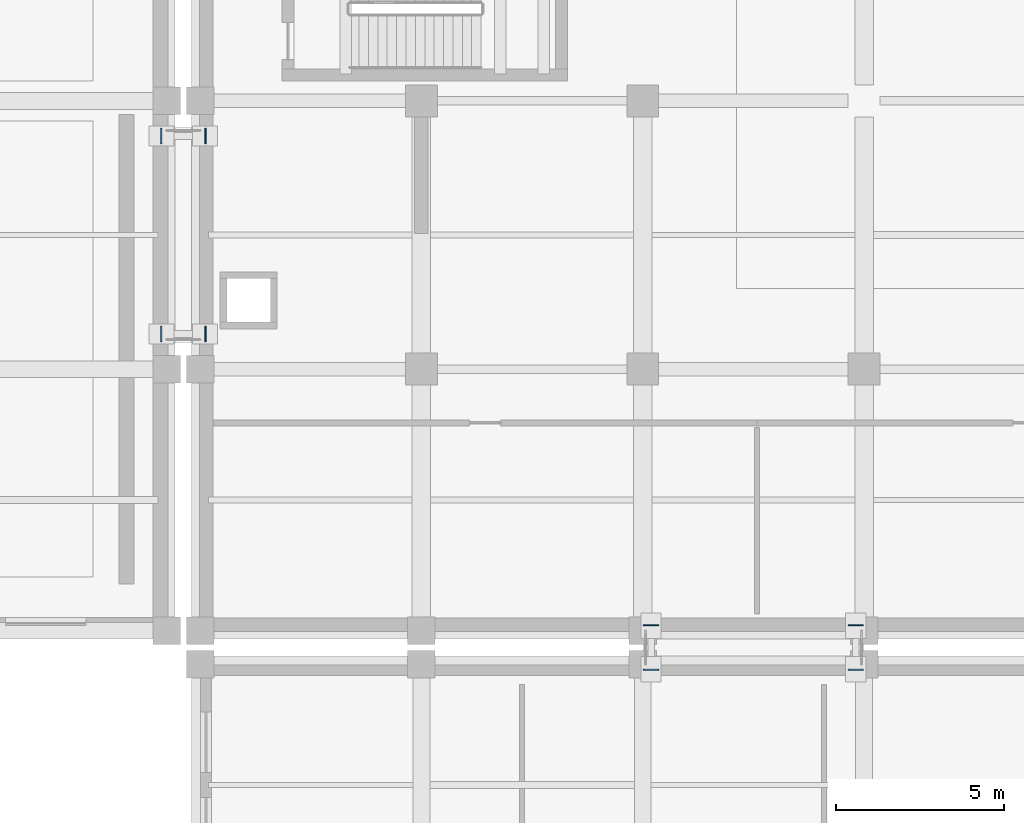
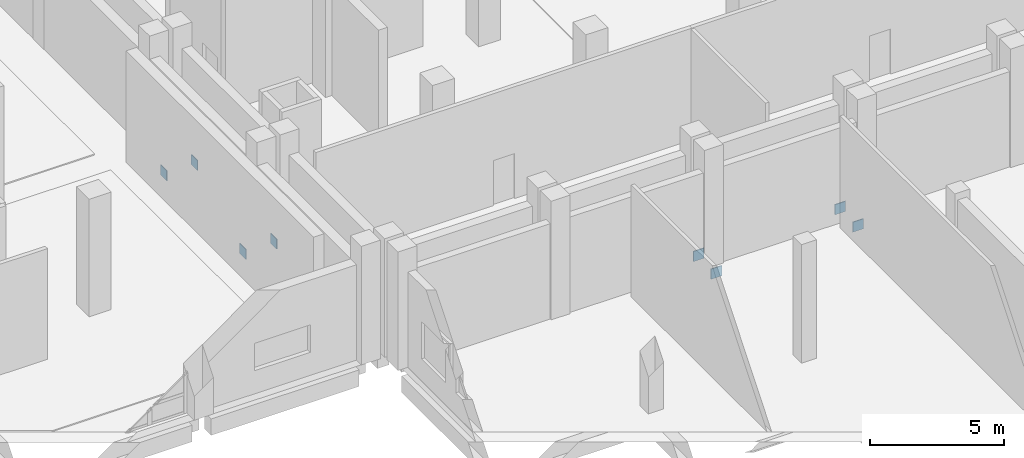
# One storey, part 65 of 79: 8 discrete accessories.
"""IFC4 building model written with IfcOpenShell, lengths in metres."""

from ifc_helpers import new_model, si_unit, direction, frame, origin, origin_2d, place, context, subcontext, project, spatial, rectangle, extrude, material, material_profile, profile_set, type_object, element, save


model = new_model("IFC4")

# Units and contexts
model_context = context("Model", 3, precision=1e-05, world=origin(), true_north=direction((0.0, 1.0)))
body_context = subcontext(model_context, "Body", "Model", "MODEL_VIEW")
ifc_project = project(units=[si_unit("LENGTHUNIT", "METRE"), si_unit("AREAUNIT", "SQUARE_METRE"), si_unit("VOLUMEUNIT", "CUBIC_METRE"), si_unit("PLANEANGLEUNIT", "RADIAN"), si_unit("MASSUNIT", "GRAM", prefix="KILO")], contexts=[model_context])

# Site, building, storey
site_placement = place(None, origin())
site = spatial("IfcSite", under=ifc_project, at=site_placement, CompositionType="ELEMENT")
building_placement = place(site_placement, origin())
building = spatial("IfcBuilding", under=site, at=building_placement, Name="Kelarvand Opera House", CompositionType="ELEMENT")
storey_placement = place(building_placement, origin())
storey = spatial("IfcBuildingStorey", under=building, at=storey_placement, Name="L00", CompositionType="ELEMENT", Elevation=0.0)

# Discrete accessories
ifc_material = material(Name="Steel S355", Category="steel")
ifc_material_profile = material_profile(ifc_material, rectangle(XDim=0.4599609375, YDim=0.4599609375, at=origin_2d()), Name="Welded Steel Hollow End-Cap Plate 460x460x24", Category="steel")
ifc_profile_set = profile_set([ifc_material_profile], Name="Steel S355")
discrete_accessory_type = type_object("IfcDiscreteAccessoryType", Name="Welded Steel Hollow End-Cap Plate 460x460x24", PredefinedType="SHOE", material=ifc_profile_set)
for number, where, z_axis, x_axis, name in (
    (1, (87.85791015625, 47.64990234375, -0.52001953125), (-1.0, 0.0, 0.0), (0.0, -1.0, 0.0), "Hollow Section Welded End Cap 57"),
    (2, (89.14208984375, 47.64990234375, -0.52001953125), (1.0, 0.0, 0.0), (0.0, 1.0, 0.0), "Hollow Section Welded End Cap 58"),
    (3, (87.85791015625, 53.550048828125, -0.52001953125), (-1.0, 0.0, 0.0), (0.0, -1.0, 0.0), "Hollow Section Welded End Cap 59"),
    (4, (89.14208984375, 53.550048828125, -0.52001953125), (1.0, 0.0, 0.0), (0.0, 1.0, 0.0), "Hollow Section Welded End Cap 60"),
    (5, (102.449951171875, 37.657958984375, -0.52001953125), (0.0, -1.0, 0.0), (1.0, 0.0, 0.0), "Hollow Section Welded End Cap 93"),
):
    element("IfcDiscreteAccessory", number, at=place(storey_placement, frame(where, z_axis=z_axis, x_axis=x_axis)), inside=storey, type_object=discrete_accessory_type, Name=name, PredefinedType="SHOE", context=body_context, shape_type="SweptSolid", body=[
        extrude(rectangle(XDim=0.4599609375, YDim=0.4599609375, at=origin_2d()), origin(), (0.0, 0.0, 1.0), 0.035888671875),
    ])
discrete_accessory_1_placement = place(storey_placement, frame((102.449951171875, 38.94189453125, -0.52001953125), z_axis=(0.0, 1.0, 0.0), x_axis=(-1.0, 0.0, 0.0)))
element("IfcDiscreteAccessory", 6, at=discrete_accessory_1_placement, inside=storey, type_object=discrete_accessory_type, Name="Hollow Section Welded End Cap 94", PredefinedType="SHOE", context=body_context, shape_type="SweptSolid", body=[
    extrude(rectangle(XDim=0.4599609375, YDim=0.4599609375, at=origin_2d()), origin(), (0.0, 0.0, 1.0), 0.0361328125),
])
discrete_accessory_2_placement = place(storey_placement, frame((108.550048828125, 37.657958984375, -0.52001953125), z_axis=(0.0, -1.0, 0.0), x_axis=(1.0, 0.0, 0.0)))
element("IfcDiscreteAccessory", 7, at=discrete_accessory_2_placement, inside=storey, type_object=discrete_accessory_type, Name="Hollow Section Welded End Cap 95", PredefinedType="SHOE", context=body_context, shape_type="SweptSolid", body=[
    extrude(rectangle(XDim=0.4599609375, YDim=0.4599609375, at=origin_2d()), origin(), (0.0, 0.0, 1.0), 0.035888671875),
])
discrete_accessory_3_placement = place(storey_placement, frame((108.550048828125, 38.94189453125, -0.52001953125), z_axis=(0.0, 1.0, 0.0), x_axis=(-1.0, 0.0, 0.0)))
element("IfcDiscreteAccessory", 8, at=discrete_accessory_3_placement, inside=storey, type_object=discrete_accessory_type, Name="Hollow Section Welded End Cap 96", PredefinedType="SHOE", context=body_context, shape_type="SweptSolid", body=[
    extrude(rectangle(XDim=0.4599609375, YDim=0.4599609375, at=origin_2d()), origin(), (0.0, 0.0, 1.0), 0.0361328125),
])

save(model, "model.ifc")
